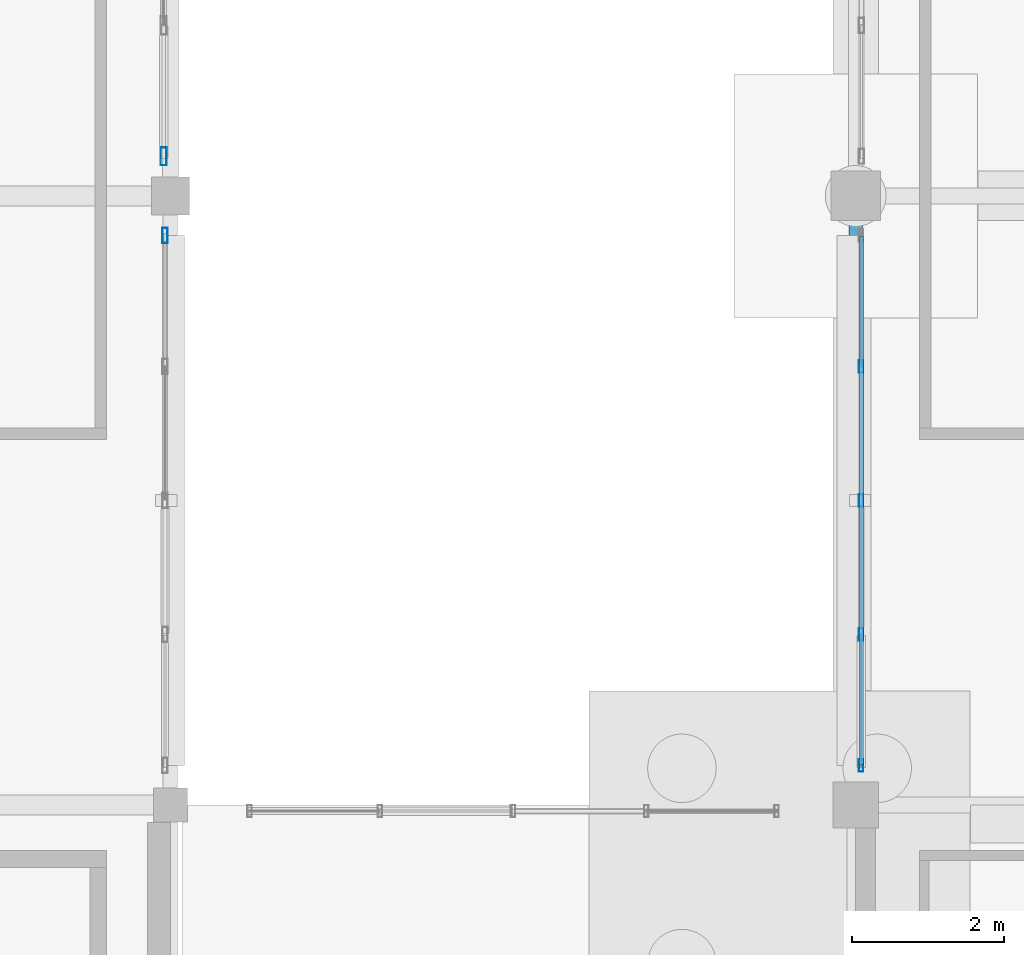
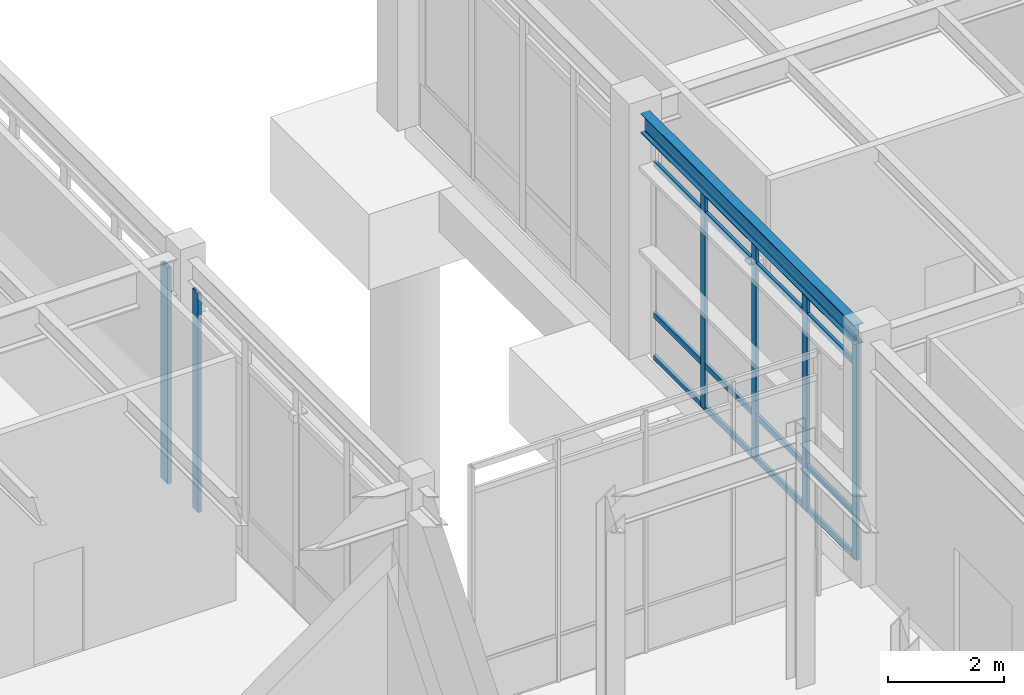
# One storey, part 100 of 203: 10 members, 1 beam, 3 elements without a shape of their own.
"""IFC4 building model written with IfcOpenShell, lengths in metres."""

from ifc_helpers import new_model, si_unit, direction, frame, origin, origin_2d, place, context, subcontext, project, spatial, hollow_rectangle, i_section, extrude, material, material_profile, profile_set, type_object, element, aggregate, save


model = new_model("IFC4")

# Units and contexts
model_context = context("Model", 3, precision=1e-05, world=origin(), true_north=direction((0.0, 1.0)))
body_context = subcontext(model_context, "Body", "Model", "MODEL_VIEW")
ifc_project = project(units=[si_unit("LENGTHUNIT", "METRE"), si_unit("AREAUNIT", "SQUARE_METRE"), si_unit("VOLUMEUNIT", "CUBIC_METRE"), si_unit("PLANEANGLEUNIT", "RADIAN"), si_unit("MASSUNIT", "GRAM", prefix="KILO"), si_unit("THERMODYNAMICTEMPERATUREUNIT", "KELVIN"), si_unit("POWERUNIT", "WATT")], contexts=[model_context])

# Site, building, storey
site_placement = place(None, origin())
site = spatial("IfcSite", under=ifc_project, at=site_placement, CompositionType="ELEMENT")
building_placement = place(site_placement, origin())
building = spatial("IfcBuilding", under=site, at=building_placement, Name="Tepalcoro Natatorium and Aquatics Centre", CompositionType="ELEMENT")
storey_placement = place(building_placement, origin())
storey = spatial("IfcBuildingStorey", under=building, at=storey_placement, Name="L00", CompositionType="ELEMENT", Elevation=0.0)

# Curtain wall, members
ifc_material_1 = material(Name="Bronze-Anodised Extruded Aluminium Alloy EN AW-6063 T6", Category="aluminium")
curtain_wall_type_1 = type_object("IfcCurtainWallType", Name="CW_LEAN_T1_EW", PredefinedType="USERDEFINED", material=ifc_material_1)
curtain_wall_1_placement = place(storey_placement, origin())
curtain_wall_1 = element("IfcCurtainWall", 1, at=curtain_wall_1_placement, inside=storey, type_object=curtain_wall_type_1, Name="V5 L00 W Unitised Curtain Wall Bay 3", ObjectType="FACETED SOLAR GLAZING", PredefinedType="USERDEFINED")
ifc_material_profile_1 = material_profile(ifc_material_1, hollow_rectangle(XDim=0.06005859375, YDim=0.159912109375, WallThickness=0.00390625, at=origin_2d()), Name="AL60X160X4")
ifc_profile_set_1 = profile_set([ifc_material_profile_1], Name="Bronze-Anodised Extruded Aluminium Alloy EN AW-6063 T6")
member_type_1 = type_object("IfcMemberType", Name="CW_MUL_60x160", PredefinedType="MULLION", material=ifc_profile_set_1)
member_1_placement = place(storey_placement, frame((98.0712890625, 102.52001953125, 0.02001953125), z_axis=(0.0, 0.0, 1.0), x_axis=(1.0, 0.0, 0.0)))
member_1 = element("IfcMember", 2, at=member_1_placement, type_object=member_type_1, Name="CW_LEAN_T1_EW Curtain Wall Mullion", PredefinedType="MULLION", context=body_context, shape_type="SweptSolid", body=[
    extrude(hollow_rectangle(XDim=0.06005859375, YDim=0.159912109375, WallThickness=0.00390625, at=origin_2d()), origin(), (0.0, 0.0, 1.0), 4.656982421875),
])
member_2_placement = place(storey_placement, frame((98.0712890625, 104.239990234375, 0.02001953125), z_axis=(0.0, 0.0, 1.0), x_axis=(1.0, 0.0, 0.0)))
member_2 = element("IfcMember", 3, at=member_2_placement, type_object=member_type_1, Name="CW_LEAN_T1_EW Curtain Wall Mullion", PredefinedType="MULLION", context=body_context, shape_type="SweptSolid", body=[
    extrude(hollow_rectangle(XDim=0.06005859375, YDim=0.159912109375, WallThickness=0.00390625, at=origin_2d()), origin(), (0.0, 0.0, 1.0), 4.656982421875),
])
member_3_placement = place(storey_placement, frame((98.0712890625, 106.0, 0.02001953125), z_axis=(0.0, 0.0, 1.0), x_axis=(1.0, 0.0, 0.0)))
member_3 = element("IfcMember", 4, at=member_3_placement, type_object=member_type_1, Name="CW_LEAN_T1_EW Curtain Wall Mullion", PredefinedType="MULLION", context=body_context, shape_type="SweptSolid", body=[
    extrude(hollow_rectangle(XDim=0.06005859375, YDim=0.159912109375, WallThickness=0.00390625, at=origin_2d()), origin(), (0.0, 0.0, 1.0), 4.656982421875),
])
member_4_placement = place(storey_placement, frame((98.0712890625, 107.760009765625, 0.02001953125), z_axis=(0.0, 0.0, 1.0), x_axis=(1.0, 0.0, 0.0)))
member_4 = element("IfcMember", 5, at=member_4_placement, type_object=member_type_1, Name="CW_LEAN_T1_EW Curtain Wall Mullion", PredefinedType="MULLION", context=body_context, shape_type="SweptSolid", body=[
    extrude(hollow_rectangle(XDim=0.06005859375, YDim=0.159912109375, WallThickness=0.00390625, at=origin_2d()), origin(), (0.0, 0.0, 1.0), 4.656982421875),
])

# Curtain wall, member
curtain_wall_type_2 = type_object("IfcCurtainWallType", Name="CW_LEAN_T2_EW", PredefinedType="USERDEFINED", material=ifc_material_1)
curtain_wall_2_placement = place(storey_placement, origin())
curtain_wall_2 = element("IfcCurtainWall", 6, at=curtain_wall_2_placement, inside=storey, type_object=curtain_wall_type_2, Name="V4 L00 E Unitised Curtain Wall Bay 3", ObjectType="FACETED SOLAR GLAZING", PredefinedType="USERDEFINED")
ifc_material_profile_2 = material_profile(ifc_material_1, hollow_rectangle(XDim=0.070068359375, YDim=0.199951171875, WallThickness=0.0048828125, at=origin_2d()), Name="AL70X200X5")
ifc_profile_set_2 = profile_set([ifc_material_profile_2], Name="Bronze-Anodised Extruded Aluminium Alloy EN AW-6063 T6")
member_type_2 = type_object("IfcMemberType", Name="CW_MUL_70x200", PredefinedType="MULLION", material=ifc_profile_set_2)
member_5_placement = place(storey_placement, frame((88.9287109375, 109.47998046875, 0.02001953125), z_axis=(0.0, 0.0, 1.0), x_axis=(1.0, 0.0, 0.0)))
member_5 = element("IfcMember", 7, at=member_5_placement, type_object=member_type_2, Name="CW_LEAN_T2_EW Curtain Wall Mullion", PredefinedType="MULLION", context=body_context, shape_type="SweptSolid", body=[
    extrude(hollow_rectangle(XDim=0.070068359375, YDim=0.199951171875, WallThickness=0.0048828125, at=origin_2d()), origin(), (0.0, 0.0, 1.0), 4.6298828125),
])
aggregate(curtain_wall_2, [member_5])

curtain_wall_type_3 = type_object("IfcCurtainWallType", Name="CW_V1_PLINTH", PredefinedType="USERDEFINED", material=ifc_material_1)
curtain_wall_3_placement = place(storey_placement, origin())
curtain_wall_3 = element("IfcCurtainWall", 8, at=curtain_wall_3_placement, inside=storey, type_object=curtain_wall_type_3, Name="V4 L00 E Unitised Curtain Wall Bay 4", ObjectType="UNITISED STOREFRONT", PredefinedType="USERDEFINED")
ifc_material_profile_3 = material_profile(ifc_material_1, hollow_rectangle(XDim=0.080078125, YDim=0.239990234375, WallThickness=0.0048828125, at=origin_2d()), Name="AL80X240X5")
ifc_profile_set_3 = profile_set([ifc_material_profile_3], Name="Bronze-Anodised Extruded Aluminium Alloy EN AW-6063 T6")
member_type_3 = type_object("IfcMemberType", Name="CW_MUL_80x240", PredefinedType="MULLION", material=ifc_profile_set_3)
member_6_placement = place(storey_placement, frame((88.909912109375, 110.52001953125, 0.02001953125), z_axis=(0.0, 0.0, 1.0), x_axis=(1.0, 0.0, 0.0)))
member_6 = element("IfcMember", 9, at=member_6_placement, type_object=member_type_3, Name="CW_V1_PLINTH Curtain Wall Mullion", PredefinedType="MULLION", context=body_context, shape_type="SweptSolid", body=[
    extrude(hollow_rectangle(XDim=0.080078125, YDim=0.239990234375, WallThickness=0.0048828125, at=origin_2d()), origin(), (0.0, 0.0, 1.0), 4.553955078125),
])
aggregate(curtain_wall_3, [member_6])

# Member
ifc_material_profile_4 = material_profile(ifc_material_1, hollow_rectangle(XDim=0.06005859375, YDim=0.1201171875, WallThickness=0.00390625, at=origin_2d()), Name="AL60X120X4")
ifc_profile_set_4 = profile_set([ifc_material_profile_4], Name="Bronze-Anodised Extruded Aluminium Alloy EN AW-6063 T6")
member_type_4 = type_object("IfcMemberType", Name="CW_TRN_60x120", PredefinedType="USERDEFINED", material=ifc_profile_set_4)
member_7_placement = place(storey_placement, frame((98.0712890625, 102.530029296875, 0.050048828125), z_axis=(0.0, 1.0, 0.0), x_axis=(-1.0, 0.0, 0.0)))
member_7 = element("IfcMember", 10, at=member_7_placement, type_object=member_type_4, Name="CW_LEAN_T1_EW Curtain Wall Transom", ObjectType="TRANSOM", PredefinedType="USERDEFINED", context=body_context, shape_type="SweptSolid", body=[
    extrude(hollow_rectangle(XDim=0.06005859375, YDim=0.1201171875, WallThickness=0.00390625, at=origin_2d()), origin(), (0.0, 0.0, 1.0), 6.93994140625),
])

member_8_placement = place(storey_placement, frame((98.0712890625, 102.530029296875, 0.949951171875), z_axis=(0.0, 1.0, 0.0), x_axis=(-1.0, 0.0, 0.0)))
member_8 = element("IfcMember", 11, at=member_8_placement, type_object=member_type_4, Name="CW_LEAN_T1_EW Curtain Wall Transom", ObjectType="TRANSOM", PredefinedType="USERDEFINED", context=body_context, shape_type="SweptSolid", body=[
    extrude(hollow_rectangle(XDim=0.06005859375, YDim=0.1201171875, WallThickness=0.00390625, at=origin_2d()), origin(), (0.0, 0.0, 1.0), 6.93994140625),
])

member_9_placement = place(storey_placement, frame((98.0712890625, 102.530029296875, 4.14697265625), z_axis=(0.0, 1.0, 0.0), x_axis=(-1.0, 0.0, 0.0)))
member_9 = element("IfcMember", 12, at=member_9_placement, type_object=member_type_4, Name="CW_LEAN_T1_EW Curtain Wall Transom", ObjectType="TRANSOM", PredefinedType="USERDEFINED", context=body_context, shape_type="SweptSolid", body=[
    extrude(hollow_rectangle(XDim=0.06005859375, YDim=0.1201171875, WallThickness=0.00390625, at=origin_2d()), origin(), (0.0, 0.0, 1.0), 6.93994140625),
])

member_10_placement = place(storey_placement, frame((98.0712890625, 102.530029296875, 4.64697265625), z_axis=(0.0, 1.0, 0.0), x_axis=(-1.0, 0.0, 0.0)))
member_10 = element("IfcMember", 13, at=member_10_placement, type_object=member_type_4, Name="CW_LEAN_T1_EW Curtain Wall Transom", ObjectType="TRANSOM", PredefinedType="USERDEFINED", context=body_context, shape_type="SweptSolid", body=[
    extrude(hollow_rectangle(XDim=0.06005859375, YDim=0.1201171875, WallThickness=0.00390625, at=origin_2d()), origin(), (0.0, 0.0, 1.0), 6.93994140625),
])

aggregate(curtain_wall_1, [member_1, member_2, member_3, member_4, member_7, member_8, member_9, member_10])

# Beam
ifc_material_2 = material(Name="Steel ASTM A992 Grade 50 (Fy 345 MPa)", Category="steel")
ifc_material_profile_5 = material_profile(ifc_material_2, i_section(OverallWidth=0.179931640625, OverallDepth=0.4130859375, WebThickness=0.010009765625, FlangeThickness=0.01611328125, FilletRadius=0.013916015625, at=origin_2d()), Name="W16X50")
ifc_profile_set_5 = profile_set([ifc_material_profile_5], Name="Steel ASTM A992 Grade 50 (Fy 345 MPa)")
beam_type = type_object("IfcBeamType", Name="SP_HSS300x200x12", PredefinedType="SPANDREL", material=ifc_profile_set_5)
beam_placement = place(storey_placement, frame((98.0, 102.284912109375, 4.91845703125), z_axis=(0.0, 1.0, 0.0), x_axis=(-1.0, 0.0, 0.0)))
element("IfcBeam", 14, at=beam_placement, inside=storey, type_object=beam_type, Name="V5 L00 Grid Girder Y", PredefinedType="SPANDREL", context=body_context, shape_type="SweptSolid", body=[
    extrude(i_section(OverallWidth=0.179931640625, OverallDepth=0.4130859375, WebThickness=0.010009765625, FlangeThickness=0.01611328125, FilletRadius=0.013916015625, at=origin_2d()), origin(), (0.0, 0.0, 1.0), 7.405029296875),
])

save(model, "model.ifc")
